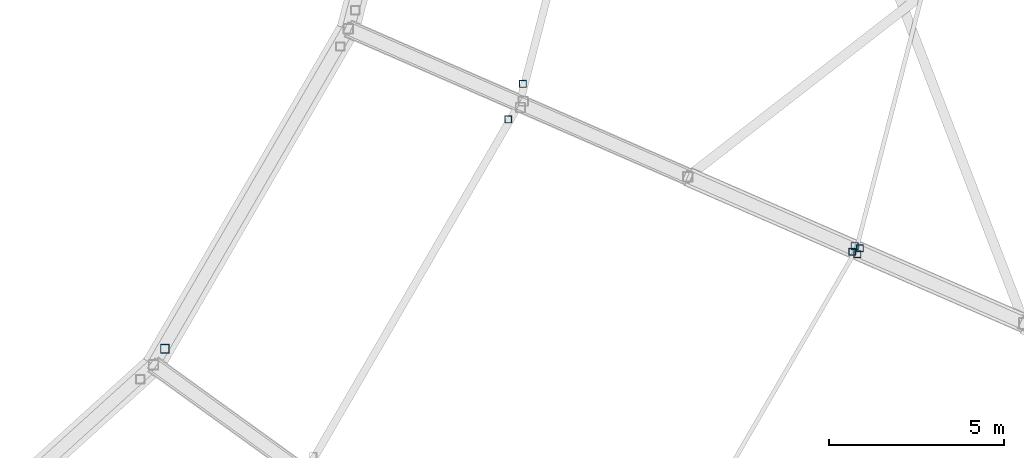
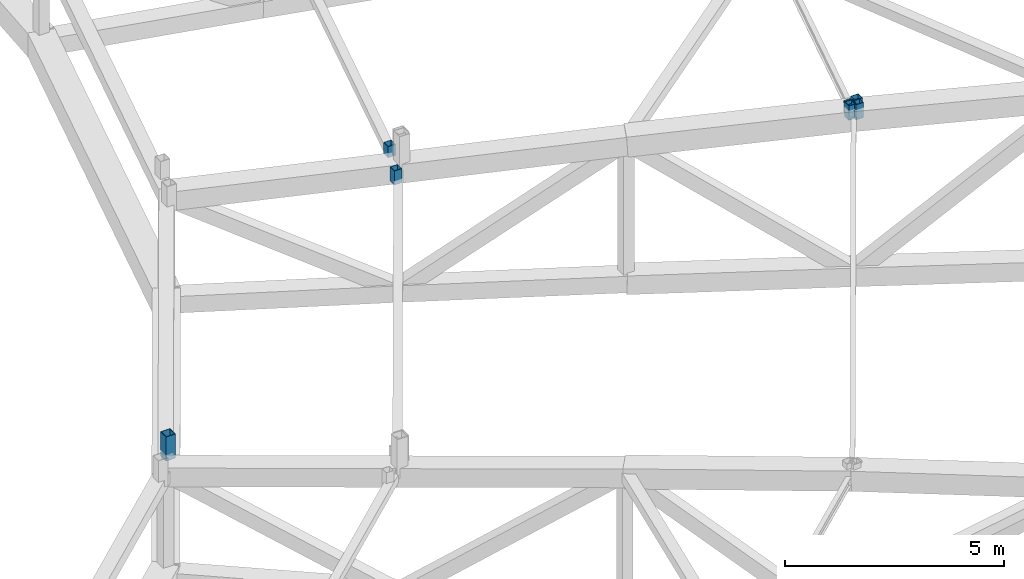
# One storey, part 115 of 162: 7 members.
"""IFC4 building model written with IfcOpenShell, lengths in metres."""

import ifcopenshell
import ifcopenshell.guid

model = None  # the IFC model being written
_history = None  # IfcOwnerHistory: only IFC2X3 demands one
_inside = {}  # id of a spatial element -> (the spatial element, [elements in it])
_under = {}  # id of a project, library or spatial element -> (it, [spatial elements below it])
_declared = {}  # id of a project -> (the project, [libraries it declares])
_typed = {}  # id of a type object -> (the type object, [elements of that type])
_made_of = {}  # id of a material, layer set ... -> (it, [elements and type objects made of it])


def new_model(schema):
    """Start an empty IFC model of exactly this schema.

    Asked for "IFC4X3", IfcOpenShell would pick the latest addendum, in which some entities
    have other attributes; the version numbers below select the first issue.
    IFC2X3 requires an IfcOwnerHistory on every rooted entity: one is made here for all.
    """
    global model, _history
    if schema == "IFC4X3":
        model = ifcopenshell.file(schema_version=(4, 3, 0, 0))
    else:
        model = ifcopenshell.file(schema=schema)
    _inside.clear()
    _under.clear()
    _declared.clear()
    _typed.clear()
    _made_of.clear()
    _history = None
    if model.schema == "IFC2X3":
        org = make("IfcOrganization", Name="unknown")
        user = make(
            "IfcPersonAndOrganization",
            ThePerson=make("IfcPerson", FamilyName="unknown"),
            TheOrganization=org,
        )
        app = make(
            "IfcApplication",
            ApplicationDeveloper=org,
            Version="unknown",
            ApplicationFullName="unknown",
            ApplicationIdentifier="unknown",
        )
        _history = make(
            "IfcOwnerHistory",
            OwningUser=user,
            OwningApplication=app,
            ChangeAction="ADDED",
            CreationDate=0,
        )
    return model


def make(cls, **values):
    """One entity of the class cls with the attributes given. An attribute that is None is left unset."""
    return model.create_entity(
        cls, **{name: value for name, value in values.items() if value is not None}
    )


def rooted(cls, **values):
    """An entity with a GlobalId (a new one), such as an element, a storey or a relation."""
    return make(cls, GlobalId=ifcopenshell.guid.new(), OwnerHistory=_history, **values)


def si_unit(unit_type, name, prefix=None):
    """IfcSIUnit, for example si_unit("LENGTHUNIT", "METRE", prefix="MILLI")."""
    return make("IfcSIUnit", UnitType=unit_type, Prefix=prefix, Name=name)


def assignment(units):
    """IfcUnitAssignment: the units of a project."""
    return None if units is None else make("IfcUnitAssignment", Units=units)


def point(xyz):
    """IfcCartesianPoint."""
    return None if xyz is None else make("IfcCartesianPoint", Coordinates=xyz)


def direction(xyz):
    """IfcDirection."""
    return None if xyz is None else make("IfcDirection", DirectionRatios=xyz)


def frame(location, z_axis=None, x_axis=None):
    """IfcAxis2Placement3D, a coordinate frame: its origin and axes. An axis left out is left unset."""
    return make(
        "IfcAxis2Placement3D",
        Location=point(location),
        Axis=direction(z_axis),
        RefDirection=direction(x_axis),
    )


def frame_2d(location, x_axis=None):
    """IfcAxis2Placement2D, a coordinate frame in the plane: its origin and x axis."""
    return make(
        "IfcAxis2Placement2D", Location=point(location), RefDirection=direction(x_axis)
    )


def origin():
    """The frame at (0, 0, 0) with its axes left unset."""
    return frame((0.0, 0.0, 0.0))


def origin_2d():
    """The frame at (0, 0) in the plane with its x axis left unset."""
    return frame_2d((0.0, 0.0))


def place(relative_to, where):
    """IfcLocalPlacement: puts the frame where relative to a parent placement (None: the world)."""
    return make(
        "IfcLocalPlacement", PlacementRelTo=relative_to, RelativePlacement=where
    )


def context(
    kind, dimensions, precision=None, world=None, true_north=None, identifier=None
):
    """IfcGeometricRepresentationContext, for example the 3D "Model" context."""
    return make(
        "IfcGeometricRepresentationContext",
        ContextIdentifier=identifier,
        ContextType=kind,
        CoordinateSpaceDimension=dimensions,
        Precision=precision,
        WorldCoordinateSystem=world,
        TrueNorth=true_north,
    )


def subcontext(parent, identifier, kind, view, scale=None):
    """IfcGeometricRepresentationSubContext, for example "Body" below "Model"."""
    return make(
        "IfcGeometricRepresentationSubContext",
        ContextIdentifier=identifier,
        ContextType=kind,
        ParentContext=parent,
        TargetScale=scale,
        TargetView=view,
    )


def project(units=None, contexts=None):
    """IfcProject with its units and contexts."""
    return rooted(
        "IfcProject",
        Name="project",
        RepresentationContexts=contexts,
        UnitsInContext=assignment(units),
    )


def spatial(cls, under=None, at=None, **own):
    """A site, building, storey or space (cls), placed at a placement, below another one or the project."""
    s = rooted(cls, ObjectPlacement=at, **own)
    if under is not None:
        _under.setdefault(under.id(), (under, []))[1].append(s)
    return s


def profile(cls, at=None, kind="AREA", **sizes):
    """A parametric profile (cls). Its sizes go by their IFC names, for example OverallWidth=200.0."""
    return make(cls, ProfileType=kind, Position=at, **sizes)


def hollow_rectangle(**sizes):
    """IfcRectangleHollowProfileDef."""
    return profile("IfcRectangleHollowProfileDef", **sizes)


def extrude(swept, where, along, depth):
    """IfcExtrudedAreaSolid: the profile swept, set in the frame where, extruded along a direction by depth."""
    return make(
        "IfcExtrudedAreaSolid",
        SweptArea=swept,
        Position=where,
        ExtrudedDirection=direction(along),
        Depth=depth,
    )


def shape(context_of_items, identifier, shape_type, items):
    """IfcShapeRepresentation: the items that make up one representation, for example the "Body"."""
    return make(
        "IfcShapeRepresentation",
        ContextOfItems=context_of_items,
        RepresentationIdentifier=identifier,
        RepresentationType=shape_type,
        Items=items,
    )


def material(Name=None, Category=None):
    """IfcMaterial."""
    return make("IfcMaterial", Name=Name, Category=Category)


def material_profile(
    of_material, cross_section, Name=None, Category=None, Priority=None
):
    """IfcMaterialProfile: a cross section and its material."""
    return make(
        "IfcMaterialProfile",
        Name=Name,
        Material=of_material,
        Profile=cross_section,
        Priority=Priority,
        Category=Category,
    )


def profile_set(profiles, Name=None, composite=None):
    """IfcMaterialProfileSet."""
    return make(
        "IfcMaterialProfileSet",
        Name=Name,
        MaterialProfiles=profiles,
        CompositeProfile=composite,
    )


def made_of(thing, what):
    """Note that an element or type object is made of a material, layer set ...; save() writes the relation."""
    if what is not None:
        _made_of.setdefault(what.id(), (what, []))[1].append(thing)
    return thing


def type_object(cls, material=None, **own):
    """A type object (cls), such as IfcWallType, which elements share."""
    return made_of(rooted(cls, **own), material)


def element(
    cls,
    number,
    at=None,
    inside=None,
    cuts=None,
    type_object=None,
    material=None,
    context=None,
    identifier="Body",
    shape_type=None,
    held_by="IfcProductDefinitionShape",
    body=None,
    shapes=None,
    **own,
):
    """One element of the class cls, such as IfcWall. Its Tag is "e" and its number.

    at: its placement. inside: the storey or other place that contains it. cuts: it is an
    opening in that element (IfcRelVoidsElement). A single representation is given by context,
    identifier, shape_type and body (its items); several are given by shapes. held_by: the class
    of the entity that holds the representations. save() writes the other relations.
    """
    e = rooted(cls, Tag="e%d" % number, ObjectPlacement=at, **own)
    if body is not None:
        shapes = [shape(context, identifier, shape_type, body)]
    if shapes is not None:
        e.Representation = make(held_by, Representations=shapes)
    if inside is not None:
        _inside.setdefault(inside.id(), (inside, []))[1].append(e)
    if cuts is not None:
        rooted(
            "IfcRelVoidsElement", RelatingBuildingElement=cuts, RelatedOpeningElement=e
        )
    if type_object is not None:
        _typed.setdefault(type_object.id(), (type_object, []))[1].append(e)
    return made_of(e, material)


def aggregate(whole, parts):
    """IfcRelAggregates: a whole, such as a stair, and the parts it consists of."""
    return rooted("IfcRelAggregates", RelatingObject=whole, RelatedObjects=parts)


def save(model, path):
    """Write the relations noted so far, then the file.

    IfcRelAggregates (storeys below a building ...), IfcRelContainedInSpatialStructure (elements
    in a storey), IfcRelDefinesByType, IfcRelAssociatesMaterial and IfcRelDeclares: one each for
    every whole, place, type object, material and project.
    """
    for whole, parts in _under.values():
        aggregate(whole, parts)
    for where, things in _inside.values():
        rooted(
            "IfcRelContainedInSpatialStructure",
            RelatedElements=things,
            RelatingStructure=where,
        )
    for kind, things in _typed.values():
        rooted("IfcRelDefinesByType", RelatedObjects=things, RelatingType=kind)
    for what, things in _made_of.values():
        rooted("IfcRelAssociatesMaterial", RelatedObjects=things, RelatingMaterial=what)
    for by, libraries in _declared.values():
        rooted("IfcRelDeclares", RelatingContext=by, RelatedDefinitions=libraries)
    model.write(path)


model = new_model("IFC4")

# Units and contexts
model_context = context("Model", 3, precision=1e-05, world=origin(), true_north=direction((0.0, 1.0)))
body_context = subcontext(model_context, "Body", "Model", "MODEL_VIEW")
ifc_project = project(units=[si_unit("LENGTHUNIT", "METRE"), si_unit("AREAUNIT", "SQUARE_METRE"), si_unit("VOLUMEUNIT", "CUBIC_METRE"), si_unit("PLANEANGLEUNIT", "RADIAN"), si_unit("MASSUNIT", "GRAM", prefix="KILO")], contexts=[model_context])

# Site, building, storey
site_placement = place(None, origin())
site = spatial("IfcSite", under=ifc_project, at=site_placement, CompositionType="ELEMENT")
building_placement = place(site_placement, origin())
building = spatial("IfcBuilding", under=site, at=building_placement, Name="Kazemori Nagisa Stadium", CompositionType="ELEMENT")
storey_placement = place(building_placement, frame((0.0, 0.0, 36.719970703125)))
storey = spatial("IfcBuildingStorey", under=building, at=storey_placement, Name="RF", CompositionType="ELEMENT", Elevation=36.719970703125)

# Members
ifc_material = material(Name="Steel STKR490", Category="steel")
ifc_material_profile_1 = material_profile(ifc_material, hollow_rectangle(XDim=0.25, YDim=0.25, WallThickness=0.011962890625, at=origin_2d()), Name="SHS-250x250x12")
ifc_profile_set_1 = profile_set([ifc_material_profile_1], Name="Steel STKR490")
member_type_1 = type_object("IfcMemberType", Name="Member_ST-SHS250", PredefinedType="STUD", material=ifc_profile_set_1)
member_1_placement = place(storey_placement, frame((165.322021484375, 72.136474609375, 4.510986328125), z_axis=(0.0, 0.0, 1.0), x_axis=(1.0, 0.0, 0.0)))
element("IfcMember", 1, at=member_1_placement, inside=storey, type_object=member_type_1, Name="Oculus skylight bearing stool B26-1", PredefinedType="STUD", context=body_context, shape_type="SweptSolid", body=[
    extrude(hollow_rectangle(XDim=0.25, YDim=0.25, WallThickness=0.011962890625, at=origin_2d()), origin(), (0.0, 0.0, 1.0), 0.676025390625),
])
ifc_material_profile_2 = material_profile(ifc_material, hollow_rectangle(XDim=0.199951171875, YDim=0.199951171875, WallThickness=0.009033203125, at=origin_2d()), Name="SHS-200x200x9")
ifc_profile_set_2 = profile_set([ifc_material_profile_2], Name="Steel STKR490")
member_type_2 = type_object("IfcMemberType", Name="Member_TS-SHS200", PredefinedType="STRUT", material=ifc_profile_set_2)
member_2_placement = place(storey_placement, frame((185.077392578125, 74.838134765625, 5.4521484375), z_axis=(0.0, 0.0, 1.0), x_axis=(1.0, 0.0, 0.0)))
element("IfcMember", 2, at=member_2_placement, inside=storey, type_object=member_type_2, Name="Canopy bearing stool B26-mid-3", PredefinedType="STRUT", context=body_context, shape_type="SweptSolid", body=[
    extrude(hollow_rectangle(XDim=0.199951171875, YDim=0.199951171875, WallThickness=0.009033203125, at=origin_2d()), origin(), (0.0, 0.0, 1.0), 0.4228515625),
])
member_3_placement = place(storey_placement, frame((184.932373046875, 74.903564453125, 5.4521484375), z_axis=(0.0, 0.0, 1.0), x_axis=(1.0, 0.0, 0.0)))
element("IfcMember", 3, at=member_3_placement, inside=storey, type_object=member_type_2, Name="Canopy bearing stool B26-inner-2", PredefinedType="STRUT", context=body_context, shape_type="SweptSolid", body=[
    extrude(hollow_rectangle(XDim=0.199951171875, YDim=0.199951171875, WallThickness=0.009033203125, at=origin_2d()), origin(), (0.0, 0.0, 1.0), 0.40087890625),
])
member_4_placement = place(storey_placement, frame((175.117919921875, 78.679931640625, 4.7939453125), z_axis=(0.0, 0.0, 1.0), x_axis=(1.0, 0.0, 0.0)))
element("IfcMember", 4, at=member_4_placement, inside=storey, type_object=member_type_2, Name="Oculus skylight bearing stool B26-3", PredefinedType="STRUT", context=body_context, shape_type="SweptSolid", body=[
    extrude(hollow_rectangle(XDim=0.199951171875, YDim=0.199951171875, WallThickness=0.009033203125, at=origin_2d()), origin(), (0.0, 0.0, 1.0), 0.39306640625),
])
member_5_placement = place(storey_placement, frame((185.14990234375, 75.0048828125, 5.4521484375), z_axis=(0.0, 0.0, 1.0), x_axis=(1.0, 0.0, 0.0)))
element("IfcMember", 5, at=member_5_placement, inside=storey, type_object=member_type_2, Name="Canopy bearing stool B27-mid-4", PredefinedType="STRUT", context=body_context, shape_type="SweptSolid", body=[
    extrude(hollow_rectangle(XDim=0.199951171875, YDim=0.199951171875, WallThickness=0.009033203125, at=origin_2d()), origin(), (0.0, 0.0, 1.0), 0.4228515625),
])
member_6_placement = place(storey_placement, frame((184.998779296875, 75.06494140625, 5.4521484375), z_axis=(0.0, 0.0, 1.0), x_axis=(1.0, 0.0, 0.0)))
element("IfcMember", 6, at=member_6_placement, inside=storey, type_object=member_type_2, Name="Canopy bearing stool B27-inner-1", PredefinedType="STRUT", context=body_context, shape_type="SweptSolid", body=[
    extrude(hollow_rectangle(XDim=0.199951171875, YDim=0.199951171875, WallThickness=0.009033203125, at=origin_2d()), origin(), (0.0, 0.0, 1.0), 0.31494140625),
])
member_7_placement = place(storey_placement, frame((175.5322265625, 79.69140625, 4.7939453125), z_axis=(0.0, 0.0, 1.0), x_axis=(1.0, 0.0, 0.0)))
element("IfcMember", 7, at=member_7_placement, inside=storey, type_object=member_type_2, Name="Oculus skylight bearing stool B27-4", PredefinedType="STRUT", context=body_context, shape_type="SweptSolid", body=[
    extrude(hollow_rectangle(XDim=0.199951171875, YDim=0.199951171875, WallThickness=0.009033203125, at=origin_2d()), origin(), (0.0, 0.0, 1.0), 0.315185546875),
])

save(model, "model.ifc")
